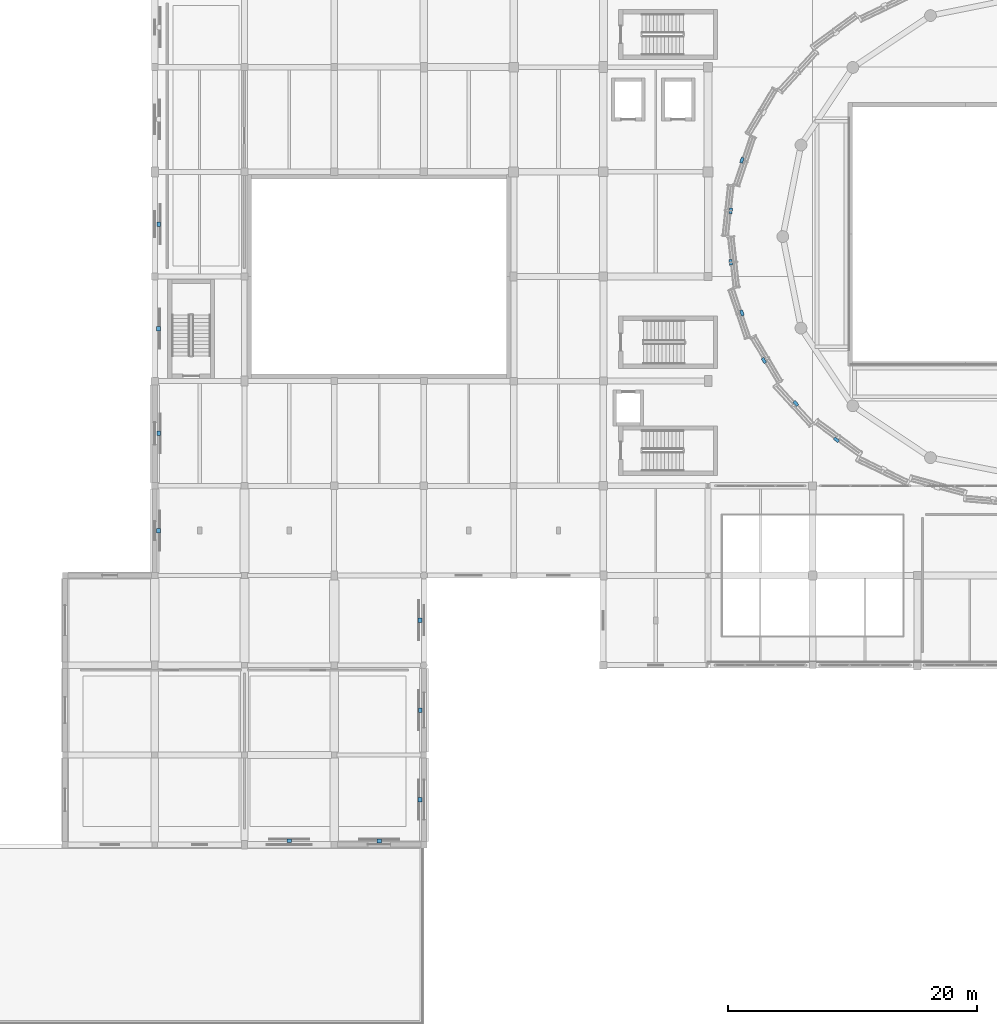
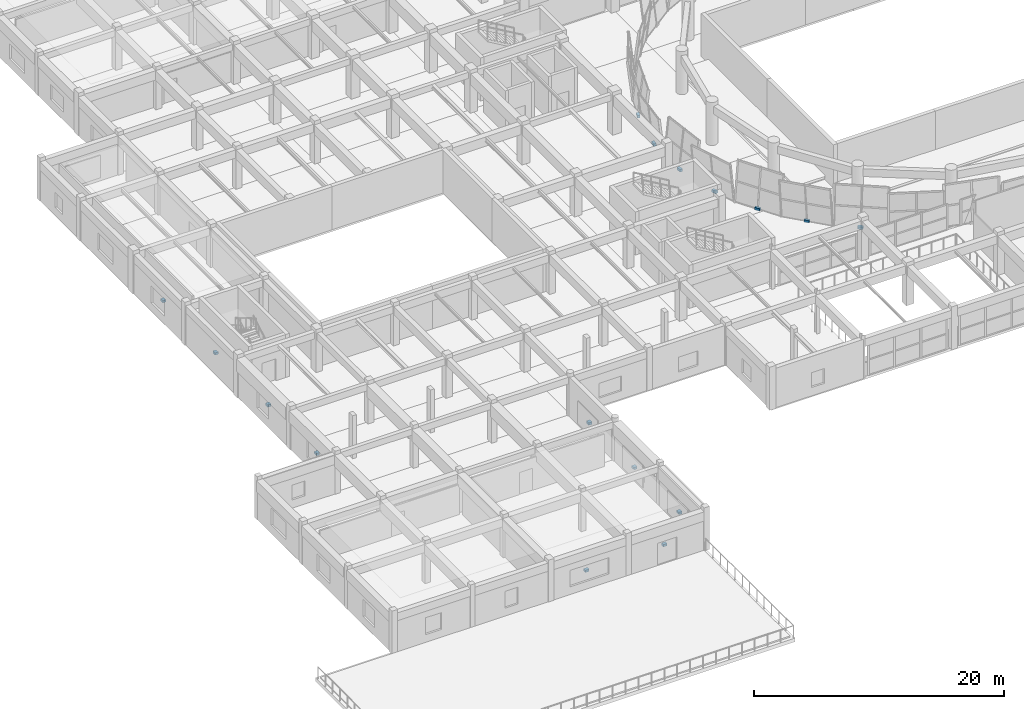
# One storey, part 56 of 71: 16 discrete accessories.
"""IFC4 building model written with IfcOpenShell, lengths in metres."""

from ifc_helpers import new_model, si_unit, direction, frame, origin, origin_2d, place, context, subcontext, project, spatial, rectangle, extrude, material, type_object, element, save


model = new_model("IFC4")

# Units and contexts
model_context = context("Model", 3, precision=1e-05, world=origin(), true_north=direction((0.0, 1.0)))
body_context = subcontext(model_context, "Body", "Model", "MODEL_VIEW")
ifc_project = project(units=[si_unit("LENGTHUNIT", "METRE"), si_unit("AREAUNIT", "SQUARE_METRE"), si_unit("VOLUMEUNIT", "CUBIC_METRE"), si_unit("PLANEANGLEUNIT", "RADIAN"), si_unit("MASSUNIT", "GRAM", prefix="KILO")], contexts=[model_context])

# Site, building, storey
site_placement = place(None, origin())
site = spatial("IfcSite", under=ifc_project, at=site_placement, CompositionType="ELEMENT")
building_placement = place(site_placement, origin())
building = spatial("IfcBuilding", under=site, at=building_placement, Name="Korsvaeld Concert Hall", CompositionType="ELEMENT")
storey_placement = place(building_placement, frame((0.0, 0.0, 4.800048828125)))
storey = spatial("IfcBuildingStorey", under=building, at=storey_placement, Name="L01", CompositionType="ELEMENT", Elevation=4.800048828125)

# Discrete accessories
ifc_material_1 = material(Name="Steel S355J2", Category="steel")
discrete_accessory_type_1 = type_object("IfcDiscreteAccessoryType", Name="ACC-BRACKET-CW", PredefinedType="BRACKET", material=ifc_material_1)
for number, where, z_axis, x_axis, name in (
    (1, (61.52490234375, 69.324462890625, -0.0400390625), (0.0, 0.0, 1.0), (-0.319951634986, -0.947433876991, 0.0), "Crystal shell base anchor bracket L01 F15"),
    (2, (60.626708984375, 65.267822265625, -0.0400390625), (0.0, 0.0, 1.0), (-0.109040368753, -0.994037322228, 0.0), "Crystal shell base anchor bracket L01 F16"),
    (3, (60.626708984375, 61.132080078125, -0.0400390625), (0.0, 0.0, 1.0), (0.109040368753, -0.994037322228, 0.0), "Crystal shell base anchor bracket L01 F17"),
    (4, (61.52490234375, 57.07568359375, -0.0400390625), (0.0, 0.0, 1.0), (0.319951634986, -0.947433876991, 0.0), "Crystal shell base anchor bracket L01 F18"),
    (5, (63.286865234375, 53.25439453125, -0.0400390625), (0.0, 0.0, 1.0), (0.511293086077, -0.859406411501, 0.0), "Crystal shell base anchor bracket L01 F19"),
    (6, (65.8447265625, 49.815673828125, -0.0400390625), (0.0, 0.0, 1.0), (0.674431262084, -0.738337641411, 0.0), "Crystal shell base anchor bracket L01 F20"),
    (7, (69.100341796875, 46.89111328125, -0.0400390625), (0.0, 0.0, 1.0), (0.804893797356, -0.593418886604, 0.0), "Crystal shell base anchor bracket L01 F21"),
):
    element("IfcDiscreteAccessory", number, at=place(storey_placement, frame(where, z_axis=z_axis, x_axis=x_axis)), inside=storey, type_object=discrete_accessory_type_1, Name=name, PredefinedType="BRACKET", context=body_context, shape_type="SweptSolid", body=[
        extrude(rectangle(XDim=0.449951171875, YDim=0.239990234375, at=origin_2d()), origin(), (0.0, 0.0, 1.0), 0.239990234375),
    ])
ifc_material_2 = material(Name="Anodised architectural bronze bracket")
discrete_accessory_type_2 = type_object("IfcDiscreteAccessoryType", Name="ACC-BRACKET-JALI", PredefinedType="BRACKET", material=ifc_material_2)
for number, where, z_axis, x_axis, name in (
    (8, (14.695068359375, 39.60009765625, 1.39013671875), (0.0, 0.0, 1.0), (0.0, 1.0, 0.0), "Jali screen outrigger bracket L01-01"),
    (9, (14.7099609375, 47.39990234375, 1.39013671875), (0.0, 0.0, 1.0), (0.0, 1.0, 0.0), "Jali screen outrigger bracket L01-02"),
    (10, (14.695068359375, 55.800048828125, 1.39013671875), (0.0, 0.0, 1.0), (0.0, 1.0, 0.0), "Jali screen outrigger bracket L01-03"),
    (11, (14.7099609375, 64.199951171875, 1.39013671875), (0.0, 0.0, 1.0), (0.0, 1.0, 0.0), "Jali screen outrigger bracket L01-04"),
    (12, (35.68994140625, 32.39990234375, 1.39013671875), (0.0, 0.0, 1.0), (0.0, -1.0, 0.0), "Jali screen outrigger bracket L01-56"),
    (13, (35.705078125, 25.199951171875, 1.39013671875), (0.0, 0.0, 1.0), (0.0, -1.0, 0.0), "Jali screen outrigger bracket L01-57"),
    (14, (35.68994140625, 18.0, 1.39013671875), (0.0, 0.0, 1.0), (0.0, -1.0, 0.0), "Jali screen outrigger bracket L01-58"),
    (15, (32.39990234375, 14.695068359375, 1.39013671875), (0.0, 0.0, 1.0), (-1.0, 0.0, 0.0), "Jali screen outrigger bracket L01-59"),
    (16, (25.199951171875, 14.7099609375, 1.39013671875), (0.0, 0.0, 1.0), (-1.0, 0.0, 0.0), "Jali screen outrigger bracket L01-60"),
):
    element("IfcDiscreteAccessory", number, at=place(storey_placement, frame(where, z_axis=z_axis, x_axis=x_axis)), inside=storey, type_object=discrete_accessory_type_2, Name=name, PredefinedType="BRACKET", context=body_context, shape_type="SweptSolid", body=[
        extrude(rectangle(XDim=0.360107421875, YDim=0.300048828125, at=origin_2d()), origin(), (0.0, 0.0, 1.0), 0.219970703125),
    ])

save(model, "model.ifc")
